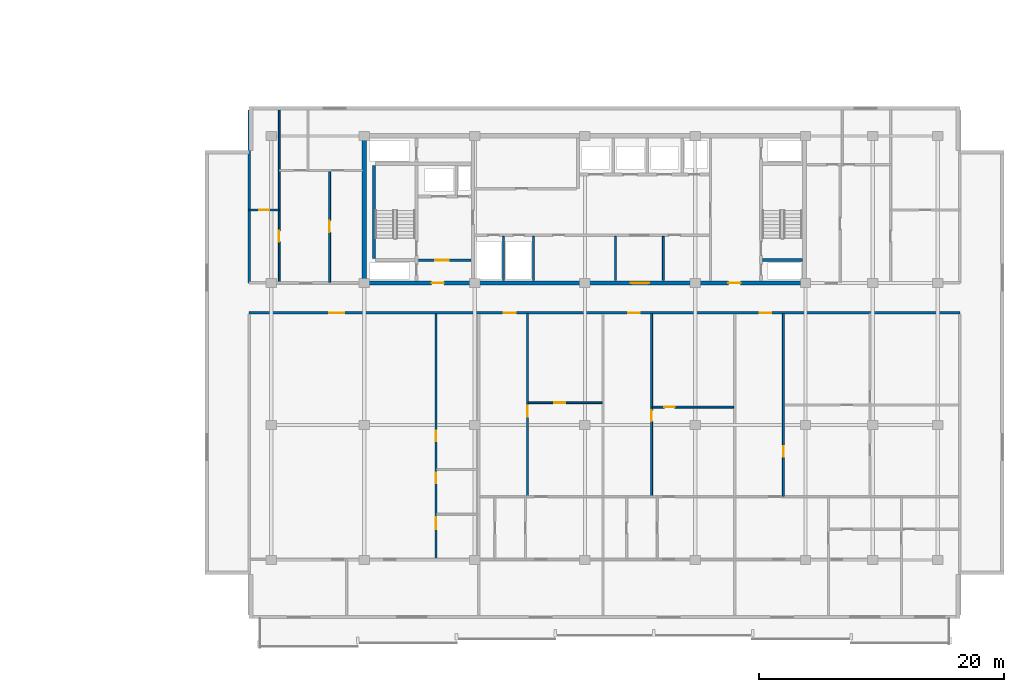
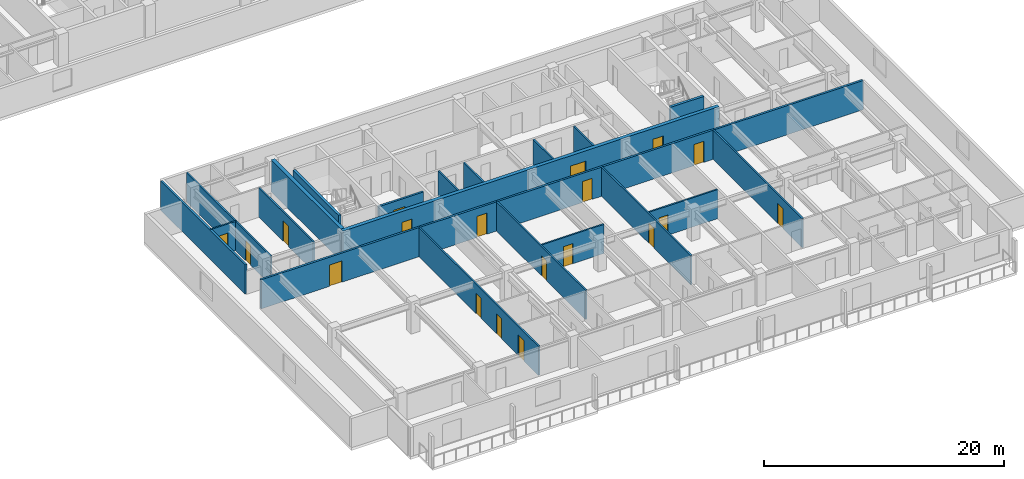
# One storey, part 5 of 21: 20 walls, 19 doors, 19 openings.
"""IFC4 building model written with IfcOpenShell, lengths in metres."""

from ifc_helpers import new_model, si_unit, direction, frame, frame_2d, origin, place, context, subcontext, project, spatial, rectangle, extrude, material, layer, layer_set, type_object, element, fill, save


model = new_model("IFC4")

# Units and contexts
model_context = context("Model", 3, precision=1e-05, world=origin(), true_north=direction((0.0, 1.0)))
body_context = subcontext(model_context, "Body", "Model", "MODEL_VIEW")
ifc_project = project(units=[si_unit("LENGTHUNIT", "METRE"), si_unit("AREAUNIT", "SQUARE_METRE"), si_unit("VOLUMEUNIT", "CUBIC_METRE"), si_unit("PLANEANGLEUNIT", "RADIAN"), si_unit("MASSUNIT", "GRAM", prefix="KILO")], contexts=[model_context])

# Site, building, storey
site_placement = place(None, origin())
site = spatial("IfcSite", under=ifc_project, at=site_placement, CompositionType="ELEMENT")
building_placement = place(site_placement, origin())
building = spatial("IfcBuilding", under=site, at=building_placement, Name="Korimba Cascade Residences", CompositionType="ELEMENT")
storey_placement = place(building_placement, frame((0.0, 0.0, 103.550048828125)))
storey = spatial("IfcBuildingStorey", under=building, at=storey_placement, Name="L29", CompositionType="ELEMENT", Elevation=103.550048828125)

# Wall
ifc_material_1 = material(Name="Concrete C65/80", Category="concrete")
ifc_layer_1 = layer(ifc_material_1, 0.35009765625)
ifc_layer_set_1 = layer_set([ifc_layer_1], Name="Concrete C65/80")
wall_type_1 = type_object("IfcWallType", Name="WAL-CORE-350", PredefinedType="SHEAR", material=ifc_layer_set_1)
wall_1_placement = place(storey_placement, frame((82.10009765625, 18.574951171875, 0.0), z_axis=(0.0, 0.0, 1.0), x_axis=(0.0, 1.0, 0.0)))
element("IfcWall", 1, at=wall_1_placement, inside=storey, type_object=wall_type_1, Name="L29 Core Shear Wall CW-L29-T2-W", PredefinedType="SHEAR", context=body_context, shape_type="SweptSolid", body=[
    extrude(rectangle(XDim=11.650146484375, YDim=0.35009765625, at=frame_2d((5.8251953125, 0.0))), origin(), (0.0, 0.0, 1.0), 3.25),
])

# Wall, openings, doors
wall_2_placement = place(storey_placement, frame((81.925048828125, 18.39990234375, 0.0), z_axis=(0.0, 0.0, 1.0), x_axis=(1.0, 0.0, 0.0)))
wall_2 = element("IfcWall", 2, at=wall_2_placement, inside=storey, type_object=wall_type_1, Name="L29 Core Shear Wall CW-L29-T2-S", PredefinedType="SHEAR", context=body_context, shape_type="SweptSolid", body=[
    extrude(rectangle(XDim=36.264892578125, YDim=0.35009765625, at=frame_2d((18.13232421875, 0.0))), origin(), (0.0, 0.0, 1.0), 3.25),
])
opening_1_placement = place(wall_2_placement, frame((5.675048828125, 0.0, 0.0)))
opening_1 = element("IfcOpeningElement", 3, at=opening_1_placement, cuts=wall_2, Name="Opening D-FD5", PredefinedType="OPENING", context=body_context, shape_type="SweptSolid", body=[
    extrude(rectangle(XDim=1.0, YDim=2.14990234375, at=frame_2d((0.5, 1.074951171875))), frame((0.0, 0.18505859375, 0.0), z_axis=(0.0, -1.0, 0.0), x_axis=(1.0, 0.0, 0.0)), (0.0, 0.0, 1.0), 0.3701171875),
])
opening_2_placement = place(wall_2_placement, frame((21.925048828125, 0.0, 0.0)))
opening_2 = element("IfcOpeningElement", 4, at=opening_2_placement, cuts=wall_2, Name="Opening D-FD8", PredefinedType="OPENING", context=body_context, shape_type="SweptSolid", body=[
    extrude(rectangle(XDim=1.5, YDim=2.199951171875, at=frame_2d((0.75, 1.10009765625))), frame((0.0, 0.18505859375, 0.0), z_axis=(0.0, -1.0, 0.0), x_axis=(1.0, 0.0, 0.0)), (0.0, 0.0, 1.0), 0.3701171875),
])
opening_3_placement = place(wall_2_placement, frame((29.875, 0.0, 0.0)))
opening_3 = element("IfcOpeningElement", 5, at=opening_3_placement, cuts=wall_2, Name="Opening D-FD5", PredefinedType="OPENING", context=body_context, shape_type="SweptSolid", body=[
    extrude(rectangle(XDim=1.0, YDim=2.14990234375, at=frame_2d((0.5, 1.074951171875))), frame((0.0, 0.18505859375, 0.0), z_axis=(0.0, -1.0, 0.0), x_axis=(1.0, 0.0, 0.0)), (0.0, 0.0, 1.0), 0.3701171875),
])
ifc_material_2 = material(Name="Fire-Rated Acoustic Timber Vestibule Door", Category="wood")
door_type_1 = type_object("IfcDoorType", Name="DR-FD90-1000", OperationType="NOTDEFINED", PredefinedType="DOOR", material=ifc_material_2)
door_1_placement = place(opening_1_placement, origin())
door_1 = element("IfcDoor", 6, at=door_1_placement, inside=storey, type_object=door_type_1, Name="L29 T2 West Core Vestibule Fire Door", OperationType="SINGLE_SWING_RIGHT", OverallHeight=2.14990234375, OverallWidth=1.0, PredefinedType="DOOR", context=body_context, shape_type="SweptSolid", body=[
    extrude(rectangle(XDim=1.0, YDim=2.14990234375, at=frame_2d((0.5, 1.074951171875))), frame((0.0, 0.02490234375, 0.0), z_axis=(0.0, -1.0, 0.0), x_axis=(1.0, 0.0, 0.0)), (0.0, 0.0, 1.0), 0.050048828125),
])
fill(opening_1, door_1)
door_2_placement = place(opening_3_placement, origin())
door_2 = element("IfcDoor", 7, at=door_2_placement, inside=storey, type_object=door_type_1, Name="L29 T2 East Stair Vestibule Fire Door", OperationType="SINGLE_SWING_LEFT", OverallHeight=2.14990234375, OverallWidth=1.0, PredefinedType="DOOR", context=body_context, shape_type="SweptSolid", body=[
    extrude(rectangle(XDim=1.0, YDim=2.14990234375, at=frame_2d((0.5, 1.074951171875))), frame((0.0, 0.02490234375, 0.0), z_axis=(0.0, -1.0, 0.0), x_axis=(1.0, 0.0, 0.0)), (0.0, 0.0, 1.0), 0.050048828125),
])
fill(opening_3, door_2)
ifc_material_3 = material(Name="Fire-Rated Glazed Lift Lobby Double Door", Category="glass")
door_type_2 = type_object("IfcDoorType", Name="DR-FD90-1500", OperationType="NOTDEFINED", PredefinedType="DOOR", material=ifc_material_3)
door_3_placement = place(opening_2_placement, origin())
door_3 = element("IfcDoor", 8, at=door_3_placement, inside=storey, type_object=door_type_2, Name="L29 T2 Lift Lobby Fire Door", OperationType="DOUBLE_DOOR_SINGLE_SWING", OverallHeight=2.199951171875, OverallWidth=1.5, PredefinedType="DOOR", context=body_context, shape_type="SweptSolid", body=[
    extrude(rectangle(XDim=1.5, YDim=2.199951171875, at=frame_2d((0.75, 1.10009765625))), frame((0.0, 0.02490234375, 0.0), z_axis=(0.0, -1.0, 0.0), x_axis=(1.0, 0.0, 0.0)), (0.0, 0.0, 1.0), 0.050048828125),
])
fill(opening_2, door_3)

# Wall
ifc_material_4 = material(Name="Precast concrete C40/50", Category="concrete")
ifc_layer_2 = layer(ifc_material_4, 0.199951171875)
ifc_layer_set_2 = layer_set([ifc_layer_2], Name="Precast concrete C40/50")
wall_type_2 = type_object("IfcWallType", Name="WAL-IT-200", PredefinedType="PARTITIONING", material=ifc_layer_set_2)
wall_3_placement = place(storey_placement, frame((72.699951171875, 18.39990234375, 0.0), z_axis=(0.0, 0.0, 1.0), x_axis=(0.0, 1.0, 0.0)))
element("IfcWall", 9, at=wall_3_placement, inside=storey, type_object=wall_type_2, Name="L29 Partition Wall WAL-L29-T2-FW-WL", PredefinedType="PARTITIONING", context=body_context, shape_type="SweptSolid", body=[
    extrude(rectangle(XDim=14.10009765625, YDim=0.199951171875, at=frame_2d((7.050048828125, 0.0))), origin(), (0.0, 0.0, 1.0), 2.969970703125),
])

# Wall, openings, doors
wall_4_placement = place(storey_placement, frame((72.699951171875, 15.949951171875, 0.0), z_axis=(0.0, 0.0, 1.0), x_axis=(1.0, 0.0, 0.0)))
wall_4 = element("IfcWall", 10, at=wall_4_placement, inside=storey, type_object=wall_type_2, Name="L29 Partition Wall WAL-L29-T2-CORS", PredefinedType="PARTITIONING", context=body_context, shape_type="SweptSolid", body=[
    extrude(rectangle(XDim=58.0, YDim=0.199951171875, at=frame_2d((29.0, 0.0))), origin(), (0.0, 0.0, 1.0), 2.969970703125),
])
opening_4_placement = place(wall_4_placement, frame((6.53857421875, 0.0, 0.0)))
opening_4 = element("IfcOpeningElement", 11, at=opening_4_placement, cuts=wall_4, Name="Opening D-AM1", PredefinedType="OPENING", context=body_context, shape_type="SweptSolid", body=[
    extrude(rectangle(XDim=1.219970703125, YDim=2.179931640625, at=frame_2d((0.60986328125, 1.08984375))), frame((0.0, 0.10986328125, 0.0), z_axis=(0.0, -1.0, 0.0), x_axis=(1.0, 0.0, 0.0)), (0.0, 0.0, 1.0), 0.219970703125),
])
opening_5_placement = place(wall_4_placement, frame((20.794921875, 0.0, 0.0)))
opening_5 = element("IfcOpeningElement", 12, at=opening_5_placement, cuts=wall_4, Name="Opening D-UN1", PredefinedType="OPENING", context=body_context, shape_type="SweptSolid", body=[
    extrude(rectangle(XDim=0.949951171875, YDim=2.14990234375, at=frame_2d((0.47509765625, 1.074951171875))), frame((0.0, 0.10986328125, 0.0), z_axis=(0.0, -1.0, 0.0), x_axis=(1.0, 0.0, 0.0)), (0.0, 0.0, 1.0), 0.219970703125),
])
opening_6_placement = place(wall_4_placement, frame((30.919921875, 0.0, 0.0)))
opening_6 = element("IfcOpeningElement", 13, at=opening_6_placement, cuts=wall_4, Name="Opening D-UN1", PredefinedType="OPENING", context=body_context, shape_type="SweptSolid", body=[
    extrude(rectangle(XDim=0.949951171875, YDim=2.14990234375, at=frame_2d((0.47509765625, 1.074951171875))), frame((0.0, 0.10986328125, 0.0), z_axis=(0.0, -1.0, 0.0), x_axis=(1.0, 0.0, 0.0)), (0.0, 0.0, 1.0), 0.219970703125),
])
opening_7_placement = place(wall_4_placement, frame((41.669921875, 0.0, 0.0)))
opening_7 = element("IfcOpeningElement", 14, at=opening_7_placement, cuts=wall_4, Name="Opening D-UN1", PredefinedType="OPENING", context=body_context, shape_type="SweptSolid", body=[
    extrude(rectangle(XDim=0.949951171875, YDim=2.14990234375, at=frame_2d((0.47509765625, 1.074951171875))), frame((0.0, 0.10986328125, 0.0), z_axis=(0.0, -1.0, 0.0), x_axis=(1.0, 0.0, 0.0)), (0.0, 0.0, 1.0), 0.219970703125),
])
ifc_material_5 = material(Name="Fire-Rated Glazed Timber Suite Door", Category="wood")
door_type_3 = type_object("IfcDoorType", Name="DR-FD60-1200", OperationType="NOTDEFINED", PredefinedType="DOOR", material=ifc_material_5)
door_4_placement = place(opening_4_placement, origin())
door_4 = element("IfcDoor", 15, at=door_4_placement, inside=storey, type_object=door_type_3, Name="L29-T2-U01 Resident Conference Room Door", OperationType="SINGLE_SWING_RIGHT", OverallHeight=2.179931640625, OverallWidth=1.219970703125, PredefinedType="DOOR", context=body_context, shape_type="SweptSolid", body=[
    extrude(rectangle(XDim=1.219970703125, YDim=2.179931640625, at=frame_2d((0.60986328125, 1.08984375))), frame((0.0, 0.02490234375, 0.0), z_axis=(0.0, -1.0, 0.0), x_axis=(1.0, 0.0, 0.0)), (0.0, 0.0, 1.0), 0.050048828125),
])
fill(opening_4, door_4)
ifc_material_6 = material(Name="Fire-Rated Hardwood Apartment Entrance Door", Category="wood")
door_type_4 = type_object("IfcDoorType", Name="DR-FD60-950", OperationType="NOTDEFINED", PredefinedType="DOOR", material=ifc_material_6)
door_5_placement = place(opening_5_placement, origin())
door_5 = element("IfcDoor", 16, at=door_5_placement, inside=storey, type_object=door_type_4, Name="Unit L29-T2-U02 Entrance Door", OperationType="SINGLE_SWING_LEFT", OverallHeight=2.14990234375, OverallWidth=0.949951171875, PredefinedType="DOOR", context=body_context, shape_type="SweptSolid", body=[
    extrude(rectangle(XDim=0.949951171875, YDim=2.14990234375, at=frame_2d((0.47509765625, 1.074951171875))), frame((0.0, 0.02490234375, 0.0), z_axis=(0.0, -1.0, 0.0), x_axis=(1.0, 0.0, 0.0)), (0.0, 0.0, 1.0), 0.050048828125),
])
fill(opening_5, door_5)
door_6_placement = place(opening_6_placement, origin())
door_6 = element("IfcDoor", 17, at=door_6_placement, inside=storey, type_object=door_type_4, Name="Unit L29-T2-U03 Entrance Door", OperationType="SINGLE_SWING_RIGHT", OverallHeight=2.14990234375, OverallWidth=0.949951171875, PredefinedType="DOOR", context=body_context, shape_type="SweptSolid", body=[
    extrude(rectangle(XDim=0.949951171875, YDim=2.14990234375, at=frame_2d((0.47509765625, 1.074951171875))), frame((0.0, 0.02490234375, 0.0), z_axis=(0.0, -1.0, 0.0), x_axis=(1.0, 0.0, 0.0)), (0.0, 0.0, 1.0), 0.050048828125),
])
fill(opening_6, door_6)
door_7_placement = place(opening_7_placement, origin())
door_7 = element("IfcDoor", 18, at=door_7_placement, inside=storey, type_object=door_type_4, Name="Unit L29-T2-U04 Entrance Door", OperationType="SINGLE_SWING_LEFT", OverallHeight=2.14990234375, OverallWidth=0.949951171875, PredefinedType="DOOR", context=body_context, shape_type="SweptSolid", body=[
    extrude(rectangle(XDim=0.949951171875, YDim=2.14990234375, at=frame_2d((0.47509765625, 1.074951171875))), frame((0.0, 0.02490234375, 0.0), z_axis=(0.0, -1.0, 0.0), x_axis=(1.0, 0.0, 0.0)), (0.0, 0.0, 1.0), 0.050048828125),
])
fill(opening_7, door_7)

# Walls
ifc_material_7 = material(Name="Insulated Acoustic Stud Partition", Category="gypsum")
ifc_layer_3 = layer(ifc_material_7, 0.14990234375)
ifc_layer_set_3 = layer_set([ifc_layer_3], Name="Insulated Acoustic Stud Partition")
wall_type_3 = type_object("IfcWallType", Name="WAL-PART-150", PredefinedType="PARTITIONING", material=ifc_layer_set_3)
for number, where, z_axis, x_axis, name in (
    (19, (93.449951171875, 18.60009765625, 0.0), (0.0, 0.0, 1.0), (0.0, 1.0, 0.0), "L29 Partition Wall CW-L29-T2-ERDIV"),
    (20, (95.89990234375, 18.60009765625, 0.0), (0.0, 0.0, 1.0), (0.0, 1.0, 0.0), "L29 Partition Wall CW-L29-T2-PRDIV"),
    (21, (102.60009765625, 18.60009765625, 0.0), (0.0, 0.0, 1.0), (0.0, 1.0, 0.0), "L29 Partition Wall CW-L29-T2-THW"),
    (22, (106.5, 18.60009765625, 0.0), (0.0, 0.0, 1.0), (0.0, 1.0, 0.0), "L29 Partition Wall CW-L29-T2-THE"),
):
    element("IfcWall", number, at=place(storey_placement, frame(where, z_axis=z_axis, x_axis=x_axis)), inside=storey, type_object=wall_type_3, Name=name, PredefinedType="PARTITIONING", context=body_context, shape_type="SweptSolid", body=[
        extrude(rectangle(XDim=3.599853515625, YDim=0.14990234375, at=frame_2d((1.7998046875, 0.0))), origin(), (0.0, 0.0, 1.0), 2.969970703125),
    ])

# Wall, opening, door
wall_5_placement = place(storey_placement, frame((72.699951171875, 24.35009765625, 0.0), z_axis=(0.0, 0.0, 1.0), x_axis=(1.0, 0.0, 0.0)))
wall_5 = element("IfcWall", 23, at=wall_5_placement, inside=storey, type_object=wall_type_3, Name="L29 Partition Wall WAL-L29-T2-FW-STH", PredefinedType="PARTITIONING", context=body_context, shape_type="SweptSolid", body=[
    extrude(rectangle(XDim=2.449951171875, YDim=0.14990234375, at=frame_2d((1.22509765625, 0.0))), origin(), (0.0, 0.0, 1.0), 2.969970703125),
])
opening_8_placement = place(wall_5_placement, frame((0.804931640625, 0.0, 0.0)))
opening_8 = element("IfcOpeningElement", 24, at=opening_8_placement, cuts=wall_5, Name="Opening D-BT1", PredefinedType="OPENING", context=body_context, shape_type="SweptSolid", body=[
    extrude(rectangle(XDim=0.840087890625, YDim=2.0400390625, at=frame_2d((0.419921875, 1.02001953125))), frame((0.0, 0.0849609375, 0.0), z_axis=(0.0, -1.0, 0.0), x_axis=(1.0, 0.0, 0.0)), (0.0, 0.0, 1.0), 0.169921875),
])
ifc_material_8 = material(Name="Moisture-Resistant Bathroom Timber Door", Category="wood")
door_type_5 = type_object("IfcDoorType", Name="DR-INT-850", OperationType="NOTDEFINED", PredefinedType="DOOR", material=ifc_material_8)
door_8_placement = place(opening_8_placement, origin())
door_8 = element("IfcDoor", 25, at=door_8_placement, inside=storey, type_object=door_type_5, Name="L29-T2-FW Dressing Store Door", OperationType="SINGLE_SWING_RIGHT", OverallHeight=2.0400390625, OverallWidth=0.840087890625, PredefinedType="DOOR", context=body_context, shape_type="SweptSolid", body=[
    extrude(rectangle(XDim=0.840087890625, YDim=2.0400390625, at=frame_2d((0.419921875, 1.02001953125))), frame((0.0, 0.02490234375, 0.0), z_axis=(0.0, -1.0, 0.0), x_axis=(1.0, 0.0, 0.0)), (0.0, 0.0, 1.0), 0.050048828125),
])
fill(opening_8, door_8)

wall_6_placement = place(storey_placement, frame((75.14990234375, 18.449951171875, 0.0), z_axis=(0.0, 0.0, 1.0), x_axis=(0.0, 1.0, 0.0)))
wall_6 = element("IfcWall", 26, at=wall_6_placement, inside=storey, type_object=wall_type_3, Name="L29 Partition Wall WAL-L29-T2-FW-STV", PredefinedType="PARTITIONING", context=body_context, shape_type="SweptSolid", body=[
    extrude(rectangle(XDim=14.050048828125, YDim=0.14990234375, at=frame_2d((7.02490234375, 0.0))), origin(), (0.0, 0.0, 1.0), 2.969970703125),
])
opening_9_placement = place(wall_6_placement, frame((3.320068359375, 0.0, 0.0)))
opening_9 = element("IfcOpeningElement", 27, at=opening_9_placement, cuts=wall_6, Name="Opening D-IN2", PredefinedType="OPENING", context=body_context, shape_type="SweptSolid", body=[
    extrude(rectangle(XDim=0.8798828125, YDim=2.06005859375, at=frame_2d((0.43994140625, 1.030029296875))), frame((0.0, 0.0849609375, 0.0), z_axis=(0.0, -1.0, 0.0), x_axis=(1.0, 0.0, 0.0)), (0.0, 0.0, 1.0), 0.169921875),
])
ifc_material_9 = material(Name="Acoustic Timber Bedroom Door", Category="wood")
door_type_6 = type_object("IfcDoorType", Name="DR-INT-880", OperationType="NOTDEFINED", PredefinedType="DOOR", material=ifc_material_9)
door_9_placement = place(opening_9_placement, origin())
door_9 = element("IfcDoor", 28, at=door_9_placement, inside=storey, type_object=door_type_6, Name="L29-T2-FW Study Door", OperationType="SINGLE_SWING_LEFT", OverallHeight=2.06005859375, OverallWidth=0.8798828125, PredefinedType="DOOR", context=body_context, shape_type="SweptSolid", body=[
    extrude(rectangle(XDim=0.8798828125, YDim=2.06005859375, at=frame_2d((0.43994140625, 1.030029296875))), frame((0.0, 0.02490234375, 0.0), z_axis=(0.0, -1.0, 0.0), x_axis=(1.0, 0.0, 0.0)), (0.0, 0.0, 1.0), 0.050048828125),
])
fill(opening_9, door_9)

wall_7_placement = place(storey_placement, frame((79.27001953125, 18.449951171875, 0.0), z_axis=(0.0, 0.0, 1.0), x_axis=(0.0, 1.0, 0.0)))
wall_7 = element("IfcWall", 29, at=wall_7_placement, inside=storey, type_object=wall_type_3, Name="L29 Partition Wall WAL-L29-T2-FW-VS", PredefinedType="PARTITIONING", context=body_context, shape_type="SweptSolid", body=[
    extrude(rectangle(XDim=9.1201171875, YDim=0.14990234375, at=frame_2d((4.56005859375, 0.0))), origin(), (0.0, 0.0, 1.0), 2.969970703125),
])
opening_10_placement = place(wall_7_placement, frame((4.10009765625, 0.0, 0.0)))
opening_10 = element("IfcOpeningElement", 30, at=opening_10_placement, cuts=wall_7, Name="Opening D-IN1", PredefinedType="OPENING", context=body_context, shape_type="SweptSolid", body=[
    extrude(rectangle(XDim=0.919921875, YDim=2.080078125, at=frame_2d((0.4599609375, 1.0400390625))), frame((0.0, 0.0849609375, 0.0), z_axis=(0.0, -1.0, 0.0), x_axis=(1.0, 0.0, 0.0)), (0.0, 0.0, 1.0), 0.169921875),
])
ifc_material_10 = material(Name="Acoustic Timber Living Door", Category="wood")
door_type_7 = type_object("IfcDoorType", Name="DR-INT-920", OperationType="NOTDEFINED", PredefinedType="DOOR", material=ifc_material_10)
door_10_placement = place(opening_10_placement, origin())
door_10 = element("IfcDoor", 31, at=door_10_placement, inside=storey, type_object=door_type_7, Name="L29-T2-FW Living Door", OperationType="SINGLE_SWING_RIGHT", OverallHeight=2.080078125, OverallWidth=0.919921875, PredefinedType="DOOR", context=body_context, shape_type="SweptSolid", body=[
    extrude(rectangle(XDim=0.919921875, YDim=2.080078125, at=frame_2d((0.4599609375, 1.0400390625))), frame((0.0, 0.02490234375, 0.0), z_axis=(0.0, -1.0, 0.0), x_axis=(1.0, 0.0, 0.0)), (0.0, 0.0, 1.0), 0.050048828125),
])
fill(opening_10, door_10)

# Wall, openings, doors
wall_8_placement = place(storey_placement, frame((87.949951171875, -4.090087890625, 0.0), z_axis=(0.0, 0.0, 1.0), x_axis=(0.0, 1.0, 0.0)))
wall_8 = element("IfcWall", 32, at=wall_8_placement, inside=storey, type_object=wall_type_3, Name="L29 Partition Wall WAL-L29-T2-U01-WCV", PredefinedType="PARTITIONING", context=body_context, shape_type="SweptSolid", body=[
    extrude(rectangle(XDim=19.97998046875, YDim=0.14990234375, at=frame_2d((9.989990234375, 0.0))), origin(), (0.0, 0.0, 1.0), 2.969970703125),
])
opening_11_placement = place(wall_8_placement, frame((2.406005859375, 0.0, 0.0)))
opening_11 = element("IfcOpeningElement", 33, at=opening_11_placement, cuts=wall_8, Name="Opening D-AC1", PredefinedType="OPENING", context=body_context, shape_type="SweptSolid", body=[
    extrude(rectangle(XDim=0.9599609375, YDim=2.10009765625, at=frame_2d((0.47998046875, 1.050048828125))), frame((0.0, 0.0849609375, 0.0), z_axis=(0.0, -1.0, 0.0), x_axis=(1.0, 0.0, 0.0)), (0.0, 0.0, 1.0), 0.169921875),
])
opening_12_placement = place(wall_8_placement, frame((6.132568359375, 0.0, 0.0)))
opening_12 = element("IfcOpeningElement", 34, at=opening_12_placement, cuts=wall_8, Name="Opening D-IN2", PredefinedType="OPENING", context=body_context, shape_type="SweptSolid", body=[
    extrude(rectangle(XDim=0.8798828125, YDim=2.06005859375, at=frame_2d((0.43994140625, 1.030029296875))), frame((0.0, 0.0849609375, 0.0), z_axis=(0.0, -1.0, 0.0), x_axis=(1.0, 0.0, 0.0)), (0.0, 0.0, 1.0), 0.169921875),
])
opening_13_placement = place(wall_8_placement, frame((9.570068359375, 0.0, 0.0)))
opening_13 = element("IfcOpeningElement", 35, at=opening_13_placement, cuts=wall_8, Name="Opening D-BT1", PredefinedType="OPENING", context=body_context, shape_type="SweptSolid", body=[
    extrude(rectangle(XDim=0.840087890625, YDim=2.0400390625, at=frame_2d((0.419921875, 1.02001953125))), frame((0.0, 0.0849609375, 0.0), z_axis=(0.0, -1.0, 0.0), x_axis=(1.0, 0.0, 0.0)), (0.0, 0.0, 1.0), 0.169921875),
])
ifc_material_11 = material(Name="Accessible Acoustic Timber WC Door", Category="wood")
door_type_8 = type_object("IfcDoorType", Name="DR-ACC-950", OperationType="NOTDEFINED", PredefinedType="DOOR", material=ifc_material_11)
door_11_placement = place(opening_11_placement, origin())
door_11 = element("IfcDoor", 36, at=door_11_placement, inside=storey, type_object=door_type_8, Name="L29-T2-U01 Accessible WC Door", OperationType="SINGLE_SWING_RIGHT", OverallHeight=2.10009765625, OverallWidth=0.9599609375, PredefinedType="DOOR", context=body_context, shape_type="SweptSolid", body=[
    extrude(rectangle(XDim=0.9599609375, YDim=2.10009765625, at=frame_2d((0.47998046875, 1.050048828125))), frame((0.0, 0.02490234375, 0.0), z_axis=(0.0, -1.0, 0.0), x_axis=(1.0, 0.0, 0.0)), (0.0, 0.0, 1.0), 0.050048828125),
])
fill(opening_11, door_11)
door_12_placement = place(opening_13_placement, origin())
door_12 = element("IfcDoor", 37, at=door_12_placement, inside=storey, type_object=door_type_5, Name="L29-T2-U01 Suite Store Door", OperationType="SINGLE_SWING_RIGHT", OverallHeight=2.0400390625, OverallWidth=0.840087890625, PredefinedType="DOOR", context=body_context, shape_type="SweptSolid", body=[
    extrude(rectangle(XDim=0.840087890625, YDim=2.0400390625, at=frame_2d((0.419921875, 1.02001953125))), frame((0.0, 0.02490234375, 0.0), z_axis=(0.0, -1.0, 0.0), x_axis=(1.0, 0.0, 0.0)), (0.0, 0.0, 1.0), 0.050048828125),
])
fill(opening_13, door_12)
door_13_placement = place(opening_12_placement, origin())
door_13 = element("IfcDoor", 38, at=door_13_placement, inside=storey, type_object=door_type_6, Name="L29-T2-U01 Restroom WC Door", OperationType="SINGLE_SWING_LEFT", OverallHeight=2.06005859375, OverallWidth=0.8798828125, PredefinedType="DOOR", context=body_context, shape_type="SweptSolid", body=[
    extrude(rectangle(XDim=0.8798828125, YDim=2.06005859375, at=frame_2d((0.43994140625, 1.030029296875))), frame((0.0, 0.02490234375, 0.0), z_axis=(0.0, -1.0, 0.0), x_axis=(1.0, 0.0, 0.0)), (0.0, 0.0, 1.0), 0.050048828125),
])
fill(opening_12, door_13)

# Wall, opening, door
wall_9_placement = place(storey_placement, frame((95.47998046875, 8.6201171875, 0.0), z_axis=(0.0, 0.0, 1.0), x_axis=(1.0, 0.0, 0.0)))
wall_9 = element("IfcWall", 39, at=wall_9_placement, inside=storey, type_object=wall_type_3, Name="L29 Partition Wall WAL-L29-T2-U02-FMH", PredefinedType="PARTITIONING", context=body_context, shape_type="SweptSolid", body=[
    extrude(rectangle(XDim=6.01513671875, YDim=0.14990234375, at=frame_2d((3.007568359375, 0.0))), origin(), (0.0, 0.0, 1.0), 2.969970703125),
])
opening_14_placement = place(wall_9_placement, frame((2.1240234375, 0.0, 0.0)))
opening_14 = element("IfcOpeningElement", 40, at=opening_14_placement, cuts=wall_9, Name="Opening D-IN2", PredefinedType="OPENING", context=body_context, shape_type="SweptSolid", body=[
    extrude(rectangle(XDim=0.8798828125, YDim=2.06005859375, at=frame_2d((0.43994140625, 1.030029296875))), frame((0.0, 0.0849609375, 0.0), z_axis=(0.0, -1.0, 0.0), x_axis=(1.0, 0.0, 0.0)), (0.0, 0.0, 1.0), 0.169921875),
])
door_14_placement = place(opening_14_placement, origin())
door_14 = element("IfcDoor", 41, at=door_14_placement, inside=storey, type_object=door_type_6, Name="L29-T2-U02 Library Salon Door", OperationType="SINGLE_SWING_LEFT", OverallHeight=2.06005859375, OverallWidth=0.8798828125, PredefinedType="DOOR", context=body_context, shape_type="SweptSolid", body=[
    extrude(rectangle(XDim=0.8798828125, YDim=2.06005859375, at=frame_2d((0.43994140625, 1.030029296875))), frame((0.0, 0.02490234375, 0.0), z_axis=(0.0, -1.0, 0.0), x_axis=(1.0, 0.0, 0.0)), (0.0, 0.0, 1.0), 0.050048828125),
])
fill(opening_14, door_14)

wall_10_placement = place(storey_placement, frame((95.419921875, 0.989990234375, 0.0), z_axis=(0.0, 0.0, 1.0), x_axis=(0.0, 1.0, 0.0)))
wall_10 = element("IfcWall", 42, at=wall_10_placement, inside=storey, type_object=wall_type_3, Name="L29 Partition Wall WAL-L29-T2-U02-FV", PredefinedType="PARTITIONING", context=body_context, shape_type="SweptSolid", body=[
    extrude(rectangle(XDim=14.89990234375, YDim=0.14990234375, at=frame_2d((7.449951171875, 0.0))), origin(), (0.0, 0.0, 1.0), 2.969970703125),
])
opening_15_placement = place(wall_10_placement, frame((6.5, 0.0, 0.0)))
opening_15 = element("IfcOpeningElement", 43, at=opening_15_placement, cuts=wall_10, Name="Opening D-IN2", PredefinedType="OPENING", context=body_context, shape_type="SweptSolid", body=[
    extrude(rectangle(XDim=0.8798828125, YDim=2.06005859375, at=frame_2d((0.43994140625, 1.030029296875))), frame((0.0, 0.0849609375, 0.0), z_axis=(0.0, -1.0, 0.0), x_axis=(1.0, 0.0, 0.0)), (0.0, 0.0, 1.0), 0.169921875),
])
door_15_placement = place(opening_15_placement, origin())
door_15 = element("IfcDoor", 44, at=door_15_placement, inside=storey, type_object=door_type_6, Name="L29-T2-U02 Media Lounge Door", OperationType="SINGLE_SWING_RIGHT", OverallHeight=2.06005859375, OverallWidth=0.8798828125, PredefinedType="DOOR", context=body_context, shape_type="SweptSolid", body=[
    extrude(rectangle(XDim=0.8798828125, YDim=2.06005859375, at=frame_2d((0.43994140625, 1.030029296875))), frame((0.0, 0.02490234375, 0.0), z_axis=(0.0, -1.0, 0.0), x_axis=(1.0, 0.0, 0.0)), (0.0, 0.0, 1.0), 0.050048828125),
])
fill(opening_15, door_15)

wall_11_placement = place(storey_placement, frame((105.60498046875, 8.260009765625, 0.0), z_axis=(0.0, 0.0, 1.0), x_axis=(1.0, 0.0, 0.0)))
wall_11 = element("IfcWall", 45, at=wall_11_placement, inside=storey, type_object=wall_type_3, Name="L29 Partition Wall WAL-L29-T2-U03-FMH", PredefinedType="PARTITIONING", context=body_context, shape_type="SweptSolid", body=[
    extrude(rectangle(XDim=6.64013671875, YDim=0.14990234375, at=frame_2d((3.320068359375, 0.0))), origin(), (0.0, 0.0, 1.0), 2.969970703125),
])
opening_16_placement = place(wall_11_placement, frame((0.957275390625, 0.0, 0.0)))
opening_16 = element("IfcOpeningElement", 46, at=opening_16_placement, cuts=wall_11, Name="Opening D-IN2", PredefinedType="OPENING", context=body_context, shape_type="SweptSolid", body=[
    extrude(rectangle(XDim=0.8798828125, YDim=2.06005859375, at=frame_2d((0.43994140625, 1.030029296875))), frame((0.0, 0.0849609375, 0.0), z_axis=(0.0, -1.0, 0.0), x_axis=(1.0, 0.0, 0.0)), (0.0, 0.0, 1.0), 0.169921875),
])
door_16_placement = place(opening_16_placement, origin())
door_16 = element("IfcDoor", 47, at=door_16_placement, inside=storey, type_object=door_type_6, Name="L29-T2-U03 Library Salon Door", OperationType="SINGLE_SWING_LEFT", OverallHeight=2.06005859375, OverallWidth=0.8798828125, PredefinedType="DOOR", context=body_context, shape_type="SweptSolid", body=[
    extrude(rectangle(XDim=0.8798828125, YDim=2.06005859375, at=frame_2d((0.43994140625, 1.030029296875))), frame((0.0, 0.02490234375, 0.0), z_axis=(0.0, -1.0, 0.0), x_axis=(1.0, 0.0, 0.0)), (0.0, 0.0, 1.0), 0.050048828125),
])
fill(opening_16, door_16)

wall_12_placement = place(storey_placement, frame((105.544921875, 0.989990234375, 0.0), z_axis=(0.0, 0.0, 1.0), x_axis=(0.0, 1.0, 0.0)))
wall_12 = element("IfcWall", 48, at=wall_12_placement, inside=storey, type_object=wall_type_3, Name="L29 Partition Wall WAL-L29-T2-U03-FV", PredefinedType="PARTITIONING", context=body_context, shape_type="SweptSolid", body=[
    extrude(rectangle(XDim=14.89990234375, YDim=0.14990234375, at=frame_2d((7.449951171875, 0.0))), origin(), (0.0, 0.0, 1.0), 2.969970703125),
])
opening_17_placement = place(wall_12_placement, frame((6.139892578125, 0.0, 0.0)))
opening_17 = element("IfcOpeningElement", 49, at=opening_17_placement, cuts=wall_12, Name="Opening D-IN2", PredefinedType="OPENING", context=body_context, shape_type="SweptSolid", body=[
    extrude(rectangle(XDim=0.8798828125, YDim=2.06005859375, at=frame_2d((0.43994140625, 1.030029296875))), frame((0.0, 0.0849609375, 0.0), z_axis=(0.0, -1.0, 0.0), x_axis=(1.0, 0.0, 0.0)), (0.0, 0.0, 1.0), 0.169921875),
])
door_17_placement = place(opening_17_placement, origin())
door_17 = element("IfcDoor", 50, at=door_17_placement, inside=storey, type_object=door_type_6, Name="L29-T2-U03 Media Lounge Door", OperationType="SINGLE_SWING_RIGHT", OverallHeight=2.06005859375, OverallWidth=0.8798828125, PredefinedType="DOOR", context=body_context, shape_type="SweptSolid", body=[
    extrude(rectangle(XDim=0.8798828125, YDim=2.06005859375, at=frame_2d((0.43994140625, 1.030029296875))), frame((0.0, 0.02490234375, 0.0), z_axis=(0.0, -1.0, 0.0), x_axis=(1.0, 0.0, 0.0)), (0.0, 0.0, 1.0), 0.050048828125),
])
fill(opening_17, door_17)

wall_13_placement = place(storey_placement, frame((116.294921875, 0.989990234375, 0.0), z_axis=(0.0, 0.0, 1.0), x_axis=(0.0, 1.0, 0.0)))
wall_13 = element("IfcWall", 51, at=wall_13_placement, inside=storey, type_object=wall_type_3, Name="L29 Partition Wall WAL-L29-T2-U04-FV", PredefinedType="PARTITIONING", context=body_context, shape_type="SweptSolid", body=[
    extrude(rectangle(XDim=14.89990234375, YDim=0.14990234375, at=frame_2d((7.449951171875, 0.0))), origin(), (0.0, 0.0, 1.0), 2.969970703125),
])
opening_18_placement = place(wall_13_placement, frame((3.215576171875, 0.0, 0.0)))
opening_18 = element("IfcOpeningElement", 52, at=opening_18_placement, cuts=wall_13, Name="Opening D-IN2", PredefinedType="OPENING", context=body_context, shape_type="SweptSolid", body=[
    extrude(rectangle(XDim=0.8798828125, YDim=2.06005859375, at=frame_2d((0.43994140625, 1.030029296875))), frame((0.0, 0.0849609375, 0.0), z_axis=(0.0, -1.0, 0.0), x_axis=(1.0, 0.0, 0.0)), (0.0, 0.0, 1.0), 0.169921875),
])
door_18_placement = place(opening_18_placement, origin())
door_18 = element("IfcDoor", 53, at=door_18_placement, inside=storey, type_object=door_type_6, Name="L29-T2-U04 Media Lounge Door", OperationType="SINGLE_SWING_RIGHT", OverallHeight=2.06005859375, OverallWidth=0.8798828125, PredefinedType="DOOR", context=body_context, shape_type="SweptSolid", body=[
    extrude(rectangle(XDim=0.8798828125, YDim=2.06005859375, at=frame_2d((0.43994140625, 1.030029296875))), frame((0.0, 0.02490234375, 0.0), z_axis=(0.0, -1.0, 0.0), x_axis=(1.0, 0.0, 0.0)), (0.0, 0.0, 1.0), 0.050048828125),
])
fill(opening_18, door_18)

ifc_material_12 = material(Name="Concrete C40/50", Category="concrete")
ifc_layer_4 = layer(ifc_material_12, 0.199951171875)
ifc_layer_set_4 = layer_set([ifc_layer_4], Name="Concrete C40/50")
wall_type_4 = type_object("IfcWallType", Name="WAL-PART-200", PredefinedType="PARTITIONING", material=ifc_layer_set_4)
wall_14_placement = place(storey_placement, frame((86.5, 20.25, 0.0), z_axis=(0.0, 0.0, 1.0), x_axis=(1.0, 0.0, 0.0)))
wall_14 = element("IfcWall", 54, at=wall_14_placement, inside=storey, type_object=wall_type_4, Name="L29 Partition Wall CW-L29-T2-FFLS", PredefinedType="PARTITIONING", context=body_context, shape_type="SweptSolid", body=[
    extrude(rectangle(XDim=4.320068359375, YDim=0.199951171875, at=frame_2d((2.16015625, 0.0))), origin(), (0.0, 0.0, 1.0), 2.969970703125),
])
opening_19_placement = place(wall_14_placement, frame((1.39990234375, 0.0, 0.0)))
opening_19 = element("IfcOpeningElement", 55, at=opening_19_placement, cuts=wall_14, Name="Opening D-FD1", PredefinedType="OPENING", context=body_context, shape_type="SweptSolid", body=[
    extrude(rectangle(XDim=1.10009765625, YDim=2.10009765625, at=frame_2d((0.550048828125, 1.050048828125))), frame((0.0, 0.10986328125, 0.0), z_axis=(0.0, -1.0, 0.0), x_axis=(1.0, 0.0, 0.0)), (0.0, 0.0, 1.0), 0.219970703125),
])
ifc_material_13 = material(Name="Fire-Rated Steel Core Door", Category="steel")
door_type_9 = type_object("IfcDoorType", Name="DR-FD120-1100", OperationType="NOTDEFINED", PredefinedType="DOOR", material=ifc_material_13)
door_19_placement = place(opening_19_placement, origin())
door_19 = element("IfcDoor", 56, at=door_19_placement, inside=storey, type_object=door_type_9, Name="L29 T2 Firefighting Lobby Door", OperationType="SINGLE_SWING_RIGHT", OverallHeight=2.10009765625, OverallWidth=1.10009765625, PredefinedType="DOOR", context=body_context, shape_type="SweptSolid", body=[
    extrude(rectangle(XDim=1.10009765625, YDim=2.10009765625, at=frame_2d((0.550048828125, 1.050048828125))), frame((0.0, 0.02490234375, 0.0), z_axis=(0.0, -1.0, 0.0), x_axis=(1.0, 0.0, 0.0)), (0.0, 0.0, 1.0), 0.050048828125),
])
fill(opening_19, door_19)

# Walls
ifc_material_14 = material(Name="Concrete C50/60", Category="concrete")
ifc_layer_5 = layer(ifc_material_14, 0.25)
ifc_layer_set_5 = layer_set([ifc_layer_5], Name="Concrete C50/60")
wall_type_5 = type_object("IfcWallType", Name="WAL-SHAFT-250", PredefinedType="SHEAR", material=ifc_layer_set_5)
wall_15_placement = place(storey_placement, frame((82.875, 20.39990234375, 0.0), z_axis=(0.0, 0.0, 1.0), x_axis=(0.0, 1.0, 0.0)))
element("IfcWall", 57, at=wall_15_placement, inside=storey, type_object=wall_type_5, Name="L29 Core Shear Wall CW-L29-T2-STE1W", PredefinedType="SHEAR", context=body_context, shape_type="SweptSolid", body=[
    extrude(rectangle(XDim=7.60009765625, YDim=0.25, at=frame_2d((3.800048828125, 0.0))), origin(), (0.0, 0.0, 1.0), 3.25),
])
wall_16_placement = place(storey_placement, frame((114.60009765625, 20.27490234375, 0.0), z_axis=(0.0, 0.0, 1.0), x_axis=(1.0, 0.0, 0.0)))
element("IfcWall", 58, at=wall_16_placement, inside=storey, type_object=wall_type_5, Name="L29 Core Shear Wall CW-L29-T2-STE2S", PredefinedType="SHEAR", context=body_context, shape_type="SweptSolid", body=[
    extrude(rectangle(XDim=3.239990234375, YDim=0.25, at=frame_2d((1.6201171875, 0.0))), origin(), (0.0, 0.0, 1.0), 3.25),
])

save(model, "model.ifc")
